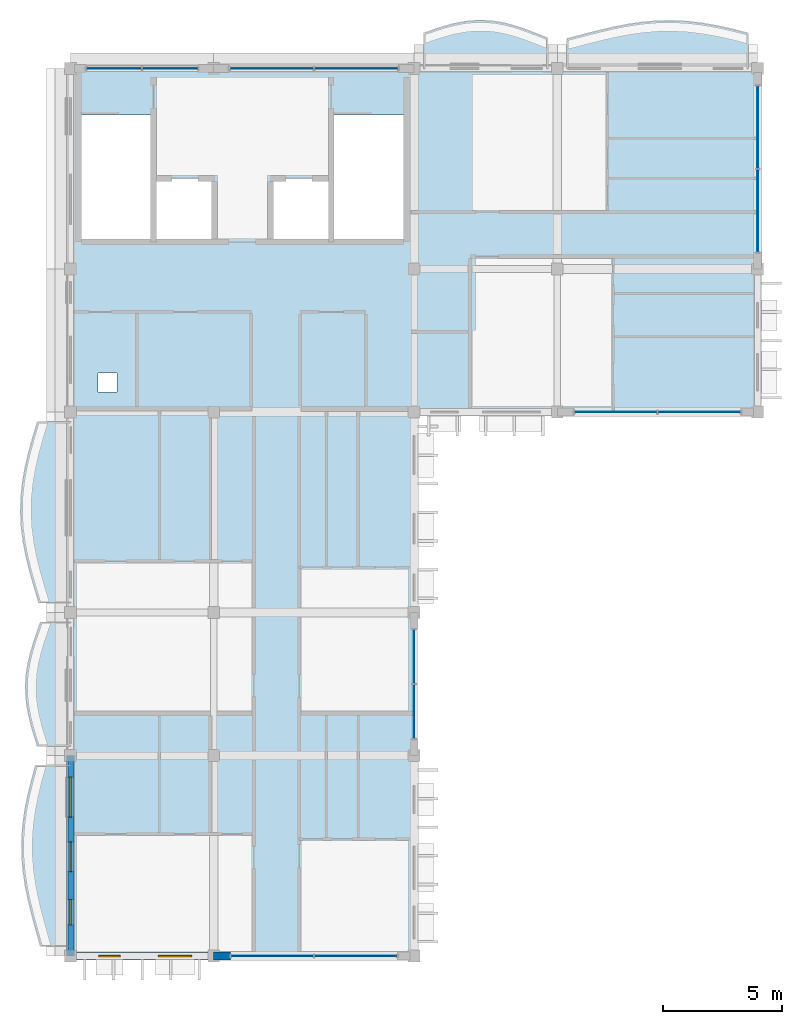
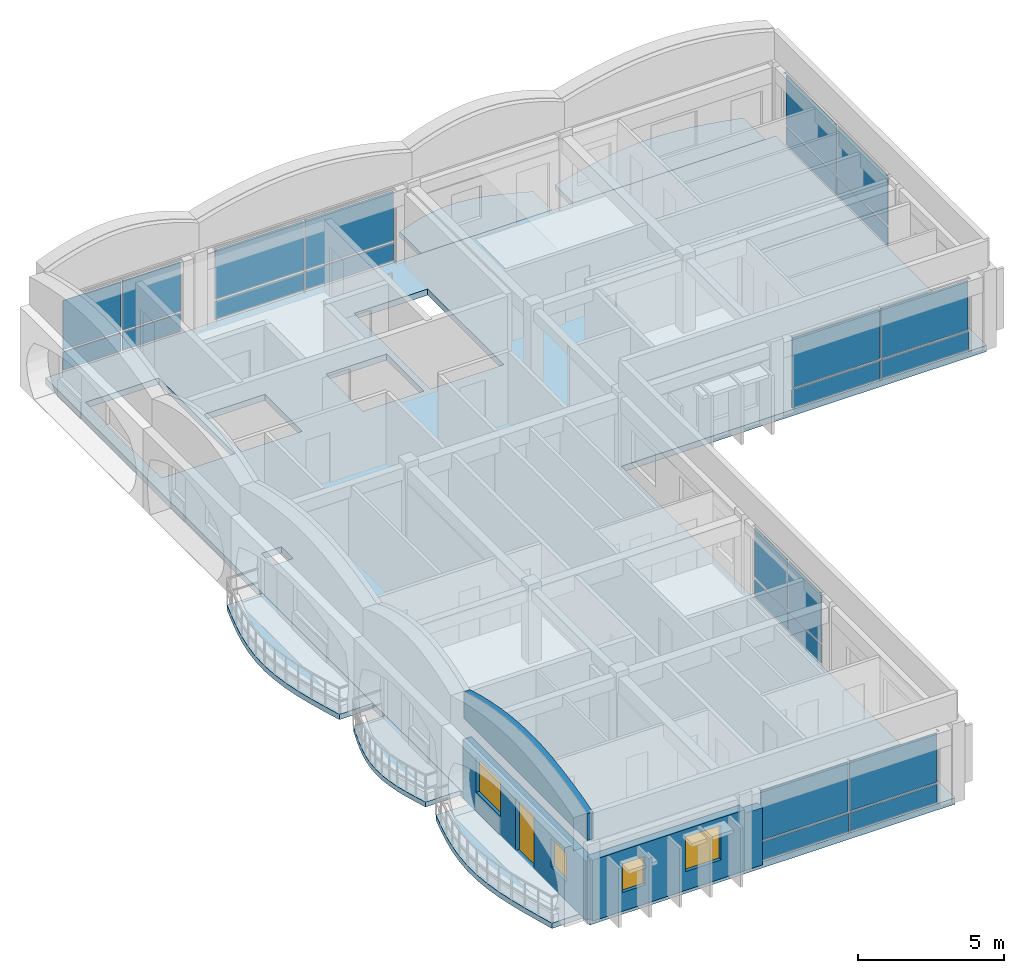
# One storey, part 4 of 12: 24 plates, 6 slabs, 4 walls, 4 windows, 1 door, 5 openings, 6 elements without a shape of their own.
"""IFC4 building model written with IfcOpenShell, lengths in metres."""

from ifc_helpers import new_model, si_unit, direction, frame, frame_2d, origin, origin_2d, place, context, subcontext, project, spatial, polyline, rectangle, outline, extrude, material, layer, layer_set, type_object, element, fill, aggregate, save


model = new_model("IFC4")

# Units and contexts
model_context = context("Model", 3, precision=1e-05, world=origin(), true_north=direction((0.0, 1.0)))
body_context = subcontext(model_context, "Body", "Model", "MODEL_VIEW")
ifc_project = project(units=[si_unit("LENGTHUNIT", "METRE"), si_unit("AREAUNIT", "SQUARE_METRE"), si_unit("VOLUMEUNIT", "CUBIC_METRE"), si_unit("PLANEANGLEUNIT", "RADIAN"), si_unit("MASSUNIT", "GRAM", prefix="KILO"), si_unit("THERMODYNAMICTEMPERATUREUNIT", "KELVIN")], contexts=[model_context])

# Site, building, storey
site_placement = place(None, origin())
site = spatial("IfcSite", under=ifc_project, at=site_placement, CompositionType="ELEMENT")
building_placement = place(site_placement, origin())
building = spatial("IfcBuilding", under=site, at=building_placement, Name="Thalorik Housing Commons", CompositionType="ELEMENT")
storey_placement = place(building_placement, frame((0.0, 0.0, 51.0)))
storey = spatial("IfcBuildingStorey", under=building, at=storey_placement, Name="L15", CompositionType="ELEMENT", Elevation=51.0)

# Curtain wall, plates
ifc_material_1 = material(Name="Anodised aluminium and solar-control low-E glass", Category="aluminium")
curtain_wall_type_1 = type_object("IfcCurtainWallType", Name="ARC-CW-LOUNGE", PredefinedType="USERDEFINED", material=ifc_material_1)
curtain_wall_1_placement = place(storey_placement, origin())
curtain_wall_1 = element("IfcCurtainWall", 1, at=curtain_wall_1_placement, inside=storey, type_object=curtain_wall_type_1, Name="L15 Curtain Wall CW-RES-L15-A-064", ObjectType="CURTAIN WALL", PredefinedType="USERDEFINED")
ifc_material_2 = material(Name="Cobalt blue enamelled aluminium spandrel panel", Category="aluminium")
ifc_layer_1 = layer(ifc_material_2, 0.0458984375, Name="Cobalt blue enamelled aluminium spandrel panel", Category="aluminium")
ifc_layer_set_1 = layer_set([ifc_layer_1], Name="Cobalt blue enamelled aluminium spandrel panel")
plate_type_1 = type_object("IfcPlateType", Name="ARC-CP-BLU-46", PredefinedType="CURTAIN_PANEL", material=ifc_layer_set_1)
plate_1_placement = place(storey_placement, frame((31.25, 109.199951171875, 0.080078125), z_axis=(0.0, 0.0, 1.0), x_axis=(1.0, 0.0, 0.0)))
plate_1 = element("IfcPlate", 2, at=plate_1_placement, type_object=plate_type_1, Name="CW-RES-L15-A-064 Spandrel Panel 1", PredefinedType="CURTAIN_PANEL", context=body_context, shape_type="SweptSolid", body=[
    extrude(rectangle(XDim=3.43994140625, YDim=0.0458984375, at=origin_2d()), origin(), (0.0, 0.0, 1.0), 0.760009765625),
])
plate_2_placement = place(storey_placement, frame((34.75, 109.199951171875, 0.080078125), z_axis=(0.0, 0.0, 1.0), x_axis=(1.0, 0.0, 0.0)))
plate_2 = element("IfcPlate", 3, at=plate_2_placement, type_object=plate_type_1, Name="CW-RES-L15-A-064 Spandrel Panel 2", PredefinedType="CURTAIN_PANEL", context=body_context, shape_type="SweptSolid", body=[
    extrude(rectangle(XDim=3.43994140625, YDim=0.0458984375, at=origin_2d()), origin(), (0.0, 0.0, 1.0), 0.760009765625),
])

curtain_wall_type_2 = type_object("IfcCurtainWallType", Name="ARC-CW-CORE", PredefinedType="USERDEFINED", material=ifc_material_1)
curtain_wall_2_placement = place(storey_placement, origin())
curtain_wall_2 = element("IfcCurtainWall", 4, at=curtain_wall_2_placement, inside=storey, type_object=curtain_wall_type_2, Name="L15 Curtain Wall CW-CORE-L15-A-067", ObjectType="CURTAIN WALL", PredefinedType="USERDEFINED")
plate_3_placement = place(storey_placement, frame((12.574951171875, 123.60009765625, 0.080078125), z_axis=(0.0, 0.0, 1.0), x_axis=(-1.0, 0.0, 0.0)))
plate_3 = element("IfcPlate", 5, at=plate_3_placement, type_object=plate_type_1, Name="CW-CORE-L15-A-067 Spandrel Panel 1", PredefinedType="CURTAIN_PANEL", context=body_context, shape_type="SweptSolid", body=[
    extrude(rectangle(XDim=2.2900390625, YDim=0.0458984375, at=origin_2d()), origin(), (0.0, 0.0, 1.0), 0.760009765625),
])
plate_4_placement = place(storey_placement, frame((10.22509765625, 123.60009765625, 0.080078125), z_axis=(0.0, 0.0, 1.0), x_axis=(-1.0, 0.0, 0.0)))
plate_4 = element("IfcPlate", 6, at=plate_4_placement, type_object=plate_type_1, Name="CW-CORE-L15-A-067 Spandrel Panel 2", PredefinedType="CURTAIN_PANEL", context=body_context, shape_type="SweptSolid", body=[
    extrude(rectangle(XDim=2.2900390625, YDim=0.0458984375, at=origin_2d()), origin(), (0.0, 0.0, 1.0), 0.760009765625),
])

curtain_wall_3_placement = place(storey_placement, origin())
curtain_wall_3 = element("IfcCurtainWall", 7, at=curtain_wall_3_placement, inside=storey, type_object=curtain_wall_type_1, Name="L15 Curtain Wall CW-RES-L15-A-070", ObjectType="CURTAIN WALL", PredefinedType="USERDEFINED")
plate_5_placement = place(storey_placement, frame((22.800048828125, 96.64990234375, 0.080078125), z_axis=(0.0, 0.0, 1.0), x_axis=(0.0, 1.0, 0.0)))
plate_5 = element("IfcPlate", 8, at=plate_5_placement, type_object=plate_type_1, Name="CW-RES-L15-A-070 Spandrel Panel 1", PredefinedType="CURTAIN_PANEL", context=body_context, shape_type="SweptSolid", body=[
    extrude(rectangle(XDim=2.239990234375, YDim=0.0458984375, at=origin_2d()), origin(), (0.0, 0.0, 1.0), 0.760009765625),
])
plate_6_placement = place(storey_placement, frame((22.800048828125, 98.949951171875, 0.080078125), z_axis=(0.0, 0.0, 1.0), x_axis=(0.0, 1.0, 0.0)))
plate_6 = element("IfcPlate", 9, at=plate_6_placement, type_object=plate_type_1, Name="CW-RES-L15-A-070 Spandrel Panel 2", PredefinedType="CURTAIN_PANEL", context=body_context, shape_type="SweptSolid", body=[
    extrude(rectangle(XDim=2.239990234375, YDim=0.0458984375, at=origin_2d()), origin(), (0.0, 0.0, 1.0), 0.760009765625),
])

# Plate
ifc_material_3 = material(Name="Double solar-control low-E glass", Category="glass")
ifc_layer_2 = layer(ifc_material_3, 0.028076171875, Name="Double solar-control low-E glass", Category="glass")
ifc_layer_set_2 = layer_set([ifc_layer_2], Name="Double solar-control low-E glass")
plate_type_2 = type_object("IfcPlateType", Name="ARC-CP-GLZ-28", PredefinedType="CURTAIN_PANEL", material=ifc_layer_set_2)
plate_7_placement = place(storey_placement, frame((31.25, 109.199951171875, 0.919921875), z_axis=(0.0, 0.0, 1.0), x_axis=(1.0, 0.0, 0.0)))
plate_7 = element("IfcPlate", 10, at=plate_7_placement, type_object=plate_type_2, Name="CW-RES-L15-A-064 Vision Panel 1", PredefinedType="CURTAIN_PANEL", context=body_context, shape_type="SweptSolid", body=[
    extrude(rectangle(XDim=3.43994140625, YDim=0.028076171875, at=origin_2d()), origin(), (0.0, 0.0, 1.0), 2.06005859375),
])

plate_8_placement = place(storey_placement, frame((34.75, 109.199951171875, 0.919921875), z_axis=(0.0, 0.0, 1.0), x_axis=(1.0, 0.0, 0.0)))
plate_8 = element("IfcPlate", 11, at=plate_8_placement, type_object=plate_type_2, Name="CW-RES-L15-A-064 Vision Panel 2", PredefinedType="CURTAIN_PANEL", context=body_context, shape_type="SweptSolid", body=[
    extrude(rectangle(XDim=3.43994140625, YDim=0.028076171875, at=origin_2d()), origin(), (0.0, 0.0, 1.0), 2.06005859375),
])

aggregate(curtain_wall_1, [plate_1, plate_7, plate_2, plate_8])

# Curtain wall, plates
curtain_wall_4_placement = place(storey_placement, origin())
curtain_wall_4 = element("IfcCurtainWall", 12, at=curtain_wall_4_placement, inside=storey, type_object=curtain_wall_type_1, Name="L15 Curtain Wall CW-RES-L15-A-065", ObjectType="CURTAIN WALL", PredefinedType="USERDEFINED")
plate_9_placement = place(storey_placement, frame((37.199951171875, 117.64990234375, 0.919921875), z_axis=(0.0, 0.0, 1.0), x_axis=(0.0, 1.0, 0.0)))
plate_9 = element("IfcPlate", 13, at=plate_9_placement, type_object=plate_type_2, Name="CW-RES-L15-A-065 Vision Panel 1", PredefinedType="CURTAIN_PANEL", context=body_context, shape_type="SweptSolid", body=[
    extrude(rectangle(XDim=3.43994140625, YDim=0.028076171875, at=origin_2d()), origin(), (0.0, 0.0, 1.0), 2.06005859375),
])
plate_10_placement = place(storey_placement, frame((37.199951171875, 121.14990234375, 0.919921875), z_axis=(0.0, 0.0, 1.0), x_axis=(0.0, 1.0, 0.0)))
plate_10 = element("IfcPlate", 14, at=plate_10_placement, type_object=plate_type_2, Name="CW-RES-L15-A-065 Vision Panel 2", PredefinedType="CURTAIN_PANEL", context=body_context, shape_type="SweptSolid", body=[
    extrude(rectangle(XDim=3.43994140625, YDim=0.028076171875, at=origin_2d()), origin(), (0.0, 0.0, 1.0), 2.06005859375),
])

curtain_wall_5_placement = place(storey_placement, origin())
curtain_wall_5 = element("IfcCurtainWall", 15, at=curtain_wall_5_placement, inside=storey, type_object=curtain_wall_type_2, Name="L15 Curtain Wall CW-CORE-L15-A-066", ObjectType="CURTAIN WALL", PredefinedType="USERDEFINED")
plate_11_placement = place(storey_placement, frame((20.375, 123.60009765625, 0.919921875), z_axis=(0.0, 0.0, 1.0), x_axis=(-1.0, 0.0, 0.0)))
plate_11 = element("IfcPlate", 16, at=plate_11_placement, type_object=plate_type_2, Name="CW-CORE-L15-A-066 Vision Panel 1", PredefinedType="CURTAIN_PANEL", context=body_context, shape_type="SweptSolid", body=[
    extrude(rectangle(XDim=3.489990234375, YDim=0.028076171875, at=origin_2d()), origin(), (0.0, 0.0, 1.0), 2.06005859375),
])
plate_12_placement = place(storey_placement, frame((16.824951171875, 123.60009765625, 0.919921875), z_axis=(0.0, 0.0, 1.0), x_axis=(-1.0, 0.0, 0.0)))
plate_12 = element("IfcPlate", 17, at=plate_12_placement, type_object=plate_type_2, Name="CW-CORE-L15-A-066 Vision Panel 2", PredefinedType="CURTAIN_PANEL", context=body_context, shape_type="SweptSolid", body=[
    extrude(rectangle(XDim=3.489990234375, YDim=0.028076171875, at=origin_2d()), origin(), (0.0, 0.0, 1.0), 2.06005859375),
])

# Plate
plate_13_placement = place(storey_placement, frame((12.574951171875, 123.60009765625, 0.919921875), z_axis=(0.0, 0.0, 1.0), x_axis=(-1.0, 0.0, 0.0)))
plate_13 = element("IfcPlate", 18, at=plate_13_placement, type_object=plate_type_2, Name="CW-CORE-L15-A-067 Vision Panel 1", PredefinedType="CURTAIN_PANEL", context=body_context, shape_type="SweptSolid", body=[
    extrude(rectangle(XDim=2.2900390625, YDim=0.028076171875, at=origin_2d()), origin(), (0.0, 0.0, 1.0), 2.06005859375),
])

plate_14_placement = place(storey_placement, frame((10.22509765625, 123.60009765625, 0.919921875), z_axis=(0.0, 0.0, 1.0), x_axis=(-1.0, 0.0, 0.0)))
plate_14 = element("IfcPlate", 19, at=plate_14_placement, type_object=plate_type_2, Name="CW-CORE-L15-A-067 Vision Panel 2", PredefinedType="CURTAIN_PANEL", context=body_context, shape_type="SweptSolid", body=[
    extrude(rectangle(XDim=2.2900390625, YDim=0.028076171875, at=origin_2d()), origin(), (0.0, 0.0, 1.0), 2.06005859375),
])

aggregate(curtain_wall_2, [plate_3, plate_13, plate_4, plate_14])

# Curtain wall, plates
curtain_wall_6_placement = place(storey_placement, origin())
curtain_wall_6 = element("IfcCurtainWall", 20, at=curtain_wall_6_placement, inside=storey, type_object=curtain_wall_type_1, Name="L15 Curtain Wall CW-RES-L15-A-069", ObjectType="CURTAIN WALL", PredefinedType="USERDEFINED")
plate_15_placement = place(storey_placement, frame((16.85009765625, 86.39990234375, 0.919921875), z_axis=(0.0, 0.0, 1.0), x_axis=(1.0, 0.0, 0.0)))
plate_15 = element("IfcPlate", 21, at=plate_15_placement, type_object=plate_type_2, Name="CW-RES-L15-A-069 Vision Panel 1", PredefinedType="CURTAIN_PANEL", context=body_context, shape_type="SweptSolid", body=[
    extrude(rectangle(XDim=3.43994140625, YDim=0.028076171875, at=origin_2d()), origin(), (0.0, 0.0, 1.0), 2.06005859375),
])
plate_16_placement = place(storey_placement, frame((20.35009765625, 86.39990234375, 0.919921875), z_axis=(0.0, 0.0, 1.0), x_axis=(1.0, 0.0, 0.0)))
plate_16 = element("IfcPlate", 22, at=plate_16_placement, type_object=plate_type_2, Name="CW-RES-L15-A-069 Vision Panel 2", PredefinedType="CURTAIN_PANEL", context=body_context, shape_type="SweptSolid", body=[
    extrude(rectangle(XDim=3.43994140625, YDim=0.028076171875, at=origin_2d()), origin(), (0.0, 0.0, 1.0), 2.06005859375),
])

# Plate
plate_17_placement = place(storey_placement, frame((22.800048828125, 96.64990234375, 0.919921875), z_axis=(0.0, 0.0, 1.0), x_axis=(0.0, 1.0, 0.0)))
plate_17 = element("IfcPlate", 23, at=plate_17_placement, type_object=plate_type_2, Name="CW-RES-L15-A-070 Vision Panel 1", PredefinedType="CURTAIN_PANEL", context=body_context, shape_type="SweptSolid", body=[
    extrude(rectangle(XDim=2.239990234375, YDim=0.028076171875, at=origin_2d()), origin(), (0.0, 0.0, 1.0), 2.06005859375),
])

plate_18_placement = place(storey_placement, frame((22.800048828125, 98.949951171875, 0.919921875), z_axis=(0.0, 0.0, 1.0), x_axis=(0.0, 1.0, 0.0)))
plate_18 = element("IfcPlate", 24, at=plate_18_placement, type_object=plate_type_2, Name="CW-RES-L15-A-070 Vision Panel 2", PredefinedType="CURTAIN_PANEL", context=body_context, shape_type="SweptSolid", body=[
    extrude(rectangle(XDim=2.239990234375, YDim=0.028076171875, at=origin_2d()), origin(), (0.0, 0.0, 1.0), 2.06005859375),
])

aggregate(curtain_wall_3, [plate_5, plate_17, plate_6, plate_18])

ifc_material_4 = material(Name="Oxide red enamelled aluminium spandrel panel", Category="aluminium")
ifc_layer_3 = layer(ifc_material_4, 0.0419921875, Name="Oxide red enamelled aluminium spandrel panel", Category="aluminium")
ifc_layer_set_3 = layer_set([ifc_layer_3], Name="Oxide red enamelled aluminium spandrel panel")
plate_type_3 = type_object("IfcPlateType", Name="ARC-CP-RED-42", PredefinedType="CURTAIN_PANEL", material=ifc_layer_set_3)
plate_19_placement = place(storey_placement, frame((37.199951171875, 117.64990234375, 0.080078125), z_axis=(0.0, 0.0, 1.0), x_axis=(0.0, 1.0, 0.0)))
plate_19 = element("IfcPlate", 25, at=plate_19_placement, type_object=plate_type_3, Name="CW-RES-L15-A-065 Spandrel Panel 1", PredefinedType="CURTAIN_PANEL", context=body_context, shape_type="SweptSolid", body=[
    extrude(rectangle(XDim=3.43994140625, YDim=0.0419921875, at=origin_2d()), origin(), (0.0, 0.0, 1.0), 0.760009765625),
])

plate_20_placement = place(storey_placement, frame((37.199951171875, 121.14990234375, 0.080078125), z_axis=(0.0, 0.0, 1.0), x_axis=(0.0, 1.0, 0.0)))
plate_20 = element("IfcPlate", 26, at=plate_20_placement, type_object=plate_type_3, Name="CW-RES-L15-A-065 Spandrel Panel 2", PredefinedType="CURTAIN_PANEL", context=body_context, shape_type="SweptSolid", body=[
    extrude(rectangle(XDim=3.43994140625, YDim=0.0419921875, at=origin_2d()), origin(), (0.0, 0.0, 1.0), 0.760009765625),
])

aggregate(curtain_wall_4, [plate_19, plate_9, plate_20, plate_10])

plate_21_placement = place(storey_placement, frame((20.375, 123.60009765625, 0.080078125), z_axis=(0.0, 0.0, 1.0), x_axis=(-1.0, 0.0, 0.0)))
plate_21 = element("IfcPlate", 27, at=plate_21_placement, type_object=plate_type_3, Name="CW-CORE-L15-A-066 Spandrel Panel 1", PredefinedType="CURTAIN_PANEL", context=body_context, shape_type="SweptSolid", body=[
    extrude(rectangle(XDim=3.489990234375, YDim=0.0419921875, at=origin_2d()), origin(), (0.0, 0.0, 1.0), 0.760009765625),
])

plate_22_placement = place(storey_placement, frame((16.824951171875, 123.60009765625, 0.080078125), z_axis=(0.0, 0.0, 1.0), x_axis=(-1.0, 0.0, 0.0)))
plate_22 = element("IfcPlate", 28, at=plate_22_placement, type_object=plate_type_3, Name="CW-CORE-L15-A-066 Spandrel Panel 2", PredefinedType="CURTAIN_PANEL", context=body_context, shape_type="SweptSolid", body=[
    extrude(rectangle(XDim=3.489990234375, YDim=0.0419921875, at=origin_2d()), origin(), (0.0, 0.0, 1.0), 0.760009765625),
])

aggregate(curtain_wall_5, [plate_21, plate_11, plate_22, plate_12])

ifc_material_5 = material(Name="Mineral ochre yellow aluminium spandrel panel", Category="aluminium")
ifc_layer_4 = layer(ifc_material_5, 0.050048828125, Name="Mineral ochre yellow aluminium spandrel panel", Category="aluminium")
ifc_layer_set_4 = layer_set([ifc_layer_4], Name="Mineral ochre yellow aluminium spandrel panel")
plate_type_4 = type_object("IfcPlateType", Name="ARC-CP-YEL-50", PredefinedType="CURTAIN_PANEL", material=ifc_layer_set_4)
plate_23_placement = place(storey_placement, frame((16.85009765625, 86.39990234375, 0.080078125), z_axis=(0.0, 0.0, 1.0), x_axis=(1.0, 0.0, 0.0)))
plate_23 = element("IfcPlate", 29, at=plate_23_placement, type_object=plate_type_4, Name="CW-RES-L15-A-069 Spandrel Panel 1", PredefinedType="CURTAIN_PANEL", context=body_context, shape_type="SweptSolid", body=[
    extrude(rectangle(XDim=3.43994140625, YDim=0.050048828125, at=origin_2d()), origin(), (0.0, 0.0, 1.0), 0.760009765625),
])

plate_24_placement = place(storey_placement, frame((20.35009765625, 86.39990234375, 0.080078125), z_axis=(0.0, 0.0, 1.0), x_axis=(1.0, 0.0, 0.0)))
plate_24 = element("IfcPlate", 30, at=plate_24_placement, type_object=plate_type_4, Name="CW-RES-L15-A-069 Spandrel Panel 2", PredefinedType="CURTAIN_PANEL", context=body_context, shape_type="SweptSolid", body=[
    extrude(rectangle(XDim=3.43994140625, YDim=0.050048828125, at=origin_2d()), origin(), (0.0, 0.0, 1.0), 0.760009765625),
])

aggregate(curtain_wall_6, [plate_23, plate_15, plate_24, plate_16])

# Slabs
ifc_material_6 = material(Name="Precast concrete C40/50", Category="concrete")
ifc_layer_5 = layer(ifc_material_6, 0.199951171875, Name="Precast concrete C40/50", Category="concrete")
ifc_layer_set_5 = layer_set([ifc_layer_5], Name="Precast concrete C40/50")
slab_type_1 = type_object("IfcSlabType", Name="STR-SLB-BALC-200", PredefinedType="FLOOR", material=ifc_layer_set_5)
slab_1_placement = place(storey_placement, frame((0.0, 0.0, -0.199951171875)))
element("IfcSlab", 31, at=slab_1_placement, inside=storey, type_object=slab_type_1, Name="L15 Block A Cushion Balcony 96", PredefinedType="FLOOR", context=body_context, shape_type="SweptSolid", body=[
    extrude(outline(polyline([(23.219970703125, 123.60009765625), (28.3798828125, 123.60009765625), (28.3798828125, 124.87841796875), (27.949951171875, 125.052978515625), (27.52001953125, 125.218994140625), (27.090087890625, 125.366455078125), (26.659912109375, 125.485595703125), (26.22998046875, 125.569091796875), (25.800048828125, 125.61181640625), (25.3701171875, 125.61181640625), (24.93994140625, 125.56982421875), (24.510009765625, 125.489013671875), (24.080078125, 125.3759765625), (23.64990234375, 125.23828125), (23.219970703125, 125.0859375), (23.219970703125, 123.60009765625)])), origin(), (0.0, 0.0, 1.0), 0.199951171875),
])
slab_2_placement = place(storey_placement, frame((0.0, 0.0, -0.199951171875)))
element("IfcSlab", 32, at=slab_2_placement, inside=storey, type_object=slab_type_1, Name="L15 Block A Cushion Balcony 99", PredefinedType="FLOOR", context=body_context, shape_type="SweptSolid", body=[
    extrude(outline(polyline([(8.39990234375, 95.219970703125), (8.39990234375, 100.3798828125), (7.136962890625, 100.3798828125), (6.98681640625, 99.949951171875), (6.843505859375, 99.52001953125), (6.716796875, 99.090087890625), (6.615478515625, 98.659912109375), (6.546142578125, 98.22998046875), (6.513427734375, 97.800048828125), (6.51904296875, 97.3701171875), (6.562255859375, 96.93994140625), (6.639404296875, 96.510009765625), (6.74462890625, 96.080078125), (6.8701171875, 95.64990234375), (7.00634765625, 95.219970703125), (8.39990234375, 95.219970703125)])), origin(), (0.0, 0.0, 1.0), 0.199951171875),
])
ifc_layer_6 = layer(ifc_material_6, 0.219970703125, Name="Precast concrete C40/50", Category="concrete")
ifc_layer_set_6 = layer_set([ifc_layer_6], Name="Precast concrete C40/50")
slab_type_2 = type_object("IfcSlabType", Name="STR-SLB-BALC-220", PredefinedType="FLOOR", material=ifc_layer_set_6)
slab_3_placement = place(storey_placement, frame((0.0, 0.0, -0.219970703125)))
element("IfcSlab", 33, at=slab_3_placement, inside=storey, type_object=slab_type_2, Name="L15 Block A Cushion Balcony 97", PredefinedType="FLOOR", context=body_context, shape_type="SweptSolid", body=[
    extrude(outline(polyline([(29.219970703125, 123.60009765625), (36.780029296875, 123.60009765625), (36.780029296875, 125.08544921875), (36.14990234375, 125.24609375), (35.52001953125, 125.38720703125), (34.889892578125, 125.498779296875), (34.260009765625, 125.573974609375), (33.6298828125, 125.607177734375), (33.0, 125.596435546875), (32.3701171875, 125.543212890625), (31.739990234375, 125.45068359375), (31.110107421875, 125.32568359375), (30.47998046875, 125.177001953125), (29.85009765625, 125.0146484375), (29.219970703125, 124.85009765625), (29.219970703125, 123.60009765625)])), origin(), (0.0, 0.0, 1.0), 0.219970703125),
])
slab_4_placement = place(storey_placement, frame((0.0, 0.0, -0.219970703125)))
element("IfcSlab", 34, at=slab_4_placement, inside=storey, type_object=slab_type_2, Name="L15 Block A Cushion Balcony 98", PredefinedType="FLOOR", context=body_context, shape_type="SweptSolid", body=[
    extrude(outline(polyline([(8.39990234375, 86.820068359375), (8.39990234375, 94.3798828125), (6.932861328125, 94.3798828125), (6.760009765625, 93.75), (6.606201171875, 93.1201171875), (6.482177734375, 92.489990234375), (6.396484375, 91.860107421875), (6.3544921875, 91.22998046875), (6.359619140625, 90.60009765625), (6.41064453125, 89.969970703125), (6.504150390625, 89.340087890625), (6.633544921875, 88.7099609375), (6.789794921875, 88.080078125), (6.962158203125, 87.449951171875), (7.138427734375, 86.820068359375), (8.39990234375, 86.820068359375)])), origin(), (0.0, 0.0, 1.0), 0.219970703125),
])
slab_5_placement = place(storey_placement, frame((0.0, 0.0, -0.219970703125)))
element("IfcSlab", 35, at=slab_5_placement, inside=storey, type_object=slab_type_2, Name="L15 Block A Cushion Balcony 100", PredefinedType="FLOOR", context=body_context, shape_type="SweptSolid", body=[
    extrude(outline(polyline([(8.39990234375, 101.219970703125), (8.39990234375, 108.780029296875), (7.00927734375, 108.780029296875), (6.820068359375, 108.14990234375), (6.6455078125, 107.52001953125), (6.49755859375, 106.889892578125), (6.386962890625, 106.260009765625), (6.32080078125, 105.6298828125), (6.30419921875, 105.0), (6.337646484375, 104.3701171875), (6.419189453125, 103.739990234375), (6.542724609375, 103.110107421875), (6.7001953125, 102.47998046875), (6.88037109375, 101.85009765625), (7.07080078125, 101.219970703125), (8.39990234375, 101.219970703125)])), origin(), (0.0, 0.0, 1.0), 0.219970703125),
])
ifc_material_7 = material(Name="Precast concrete C45/55", Category="concrete")
ifc_layer_7 = layer(ifc_material_7, 0.260009765625, Name="Precast concrete C45/55", Category="concrete")
ifc_layer_set_7 = layer_set([ifc_layer_7], Name="Precast concrete C45/55")
slab_type_3 = type_object("IfcSlabType", Name="STR-SLB-HC-260", PredefinedType="FLOOR", material=ifc_layer_set_7)
slab_6_placement = place(storey_placement, frame((0.0, 0.0, -0.260009765625)))
element("IfcSlab", 36, at=slab_6_placement, inside=storey, type_object=slab_type_3, Name="L15 Residential Block A Floor Slab", PredefinedType="FLOOR", context=body_context, shape_type="SweptSolid", body=[
    extrude(outline(polyline([(8.39990234375, 123.60009765625), (8.39990234375, 109.199951171875), (8.39990234375, 86.39990234375), (22.800048828125, 86.39990234375), (22.800048828125, 109.199951171875), (37.199951171875, 109.199951171875), (37.199951171875, 123.60009765625), (8.39990234375, 123.60009765625)]), holes=[polyline([(8.85009765625, 121.64990234375), (11.75, 121.64990234375), (11.75, 116.449951171875), (8.85009765625, 116.449951171875), (8.85009765625, 121.64990234375)]), polyline([(22.35009765625, 121.64990234375), (22.35009765625, 116.449951171875), (19.449951171875, 116.449951171875), (19.449951171875, 121.64990234375), (22.35009765625, 121.64990234375)]), polyline([(14.39990234375, 119.0), (14.39990234375, 116.449951171875), (12.0, 116.449951171875), (12.0, 119.0), (14.39990234375, 119.0)]), polyline([(19.199951171875, 116.449951171875), (16.800048828125, 116.449951171875), (16.800048828125, 119.0), (19.199951171875, 119.0), (19.199951171875, 116.449951171875)]), polyline([(9.550048828125, 110.050048828125), (9.550048828125, 110.85009765625), (10.35009765625, 110.85009765625), (10.35009765625, 110.050048828125), (9.550048828125, 110.050048828125)])]), origin(), (0.0, 0.0, 1.0), 0.260009765625),
])

# Wall, openings, door, windows
ifc_material_8 = material(Name="White precast concrete C40/50", Category="concrete")
ifc_layer_8 = layer(ifc_material_8, 0.3349609375, Name="White precast concrete C40/50", Category="concrete")
ifc_layer_set_8 = layer_set([ifc_layer_8], Name="White precast concrete C40/50")
wall_type_1 = type_object("IfcWallType", Name="ARC-WAL-EXT-335", PredefinedType="STANDARD", material=ifc_layer_set_8)
wall_1_placement = place(storey_placement, frame((8.39990234375, 94.800048828125, 0.0), z_axis=(0.0, 0.0, 1.0), x_axis=(0.0, -1.0, 0.0)))
wall_1 = element("IfcWall", 37, at=wall_1_placement, inside=storey, type_object=wall_type_1, Name="L15 Exterior Wall WAL-EXT-L15-A-0363", PredefinedType="STANDARD", context=body_context, shape_type="SweptSolid", body=[
    extrude(rectangle(XDim=8.400146484375, YDim=0.3349609375, at=frame_2d((4.2001953125, 0.0))), origin(), (0.0, 0.0, 1.0), 2.445068359375),
])
opening_1_placement = place(wall_1_placement, frame((3.614990234375, 0.0, 0.0)))
opening_1 = element("IfcOpeningElement", 38, at=opening_1_placement, cuts=wall_1, Name="Opening ED-0115", PredefinedType="OPENING", context=body_context, shape_type="SweptSolid", body=[
    extrude(rectangle(XDim=1.25, YDim=2.199951171875, at=frame_2d((0.625, 1.10009765625))), frame((0.0, 0.177490234375, 0.0), z_axis=(0.0, -1.0, 0.0), x_axis=(1.0, 0.0, 0.0)), (0.0, 0.0, 1.0), 0.35498046875),
])
opening_2_placement = place(wall_1_placement, frame((0.8974609375, 0.0, 0.780029296875)))
opening_2 = element("IfcOpeningElement", 39, at=opening_2_placement, cuts=wall_1, Name="Opening W-55", PredefinedType="OPENING", context=body_context, shape_type="SweptSolid", body=[
    extrude(rectangle(XDim=1.679931640625, YDim=1.4599609375, at=frame_2d((0.83984375, 0.72998046875))), frame((0.0, 0.177490234375, 0.0), z_axis=(0.0, -1.0, 0.0), x_axis=(1.0, 0.0, 0.0)), (0.0, 0.0, 1.0), 0.35498046875),
])
opening_3_placement = place(wall_1_placement, frame((6.03759765625, 0.0, 0.780029296875)))
opening_3 = element("IfcOpeningElement", 40, at=opening_3_placement, cuts=wall_1, Name="Opening W-44", PredefinedType="OPENING", context=body_context, shape_type="SweptSolid", body=[
    extrude(rectangle(XDim=1.050048828125, YDim=1.199951171875, at=frame_2d((0.52490234375, 0.60009765625))), frame((0.0, 0.177490234375, 0.0), z_axis=(0.0, -1.0, 0.0), x_axis=(1.0, 0.0, 0.0)), (0.0, 0.0, 1.0), 0.35498046875),
])
ifc_material_9 = material(Name="Anodised aluminium and laminated safety glass", Category="aluminium")
door_type = type_object("IfcDoorType", Name="ARC-DR-BAL-1250", OperationType="NOTDEFINED", PredefinedType="DOOR", material=ifc_material_9)
door_placement = place(opening_1_placement, frame((1.25, 0.0, 0.0), z_axis=(0.0, 0.0, 1.0), x_axis=(-1.0, 0.0, 0.0)))
door = element("IfcDoor", 41, at=door_placement, inside=storey, type_object=door_type, Name="L15 Block A Balcony Glazed Door", OperationType="SINGLE_SWING_RIGHT", OverallHeight=2.199951171875, OverallWidth=1.25, PredefinedType="DOOR", context=body_context, shape_type="SweptSolid", body=[
    extrude(rectangle(XDim=1.25, YDim=2.199951171875, at=frame_2d((0.625, 1.10009765625))), frame((0.0, 0.02490234375, 0.0), z_axis=(0.0, -1.0, 0.0), x_axis=(1.0, 0.0, 0.0)), (0.0, 0.0, 1.0), 0.050048828125),
])
fill(opening_1, door)
window_type_1 = type_object("IfcWindowType", Name="ARC-WIN-44", PartitioningType="SINGLE_PANEL", PredefinedType="WINDOW", material=ifc_material_1)
window_1_placement = place(opening_3_placement, origin())
window_1 = element("IfcWindow", 42, at=window_1_placement, inside=storey, type_object=window_type_1, Name="L15 Facade Window 646", OverallHeight=1.199951171875, OverallWidth=1.050048828125, PartitioningType="SINGLE_PANEL", PredefinedType="WINDOW", context=body_context, shape_type="SweptSolid", body=[
    extrude(rectangle(XDim=1.050048828125, YDim=1.199951171875, at=frame_2d((0.52490234375, 0.60009765625))), frame((0.0, 0.030029296875, 0.0), z_axis=(0.0, -1.0, 0.0), x_axis=(1.0, 0.0, 0.0)), (0.0, 0.0, 1.0), 0.06005859375),
])
fill(opening_3, window_1)
window_type_2 = type_object("IfcWindowType", Name="ARC-WIN-55", PartitioningType="DOUBLE_PANEL_VERTICAL", PredefinedType="WINDOW", material=ifc_material_1)
window_2_placement = place(opening_2_placement, origin())
window_2 = element("IfcWindow", 43, at=window_2_placement, inside=storey, type_object=window_type_2, Name="L15 Facade Window 645", OverallHeight=1.4599609375, OverallWidth=1.679931640625, PartitioningType="DOUBLE_PANEL_VERTICAL", PredefinedType="WINDOW", context=body_context, shape_type="SweptSolid", body=[
    extrude(rectangle(XDim=1.679931640625, YDim=1.4599609375, at=frame_2d((0.83984375, 0.72998046875))), frame((0.0, 0.030029296875, 0.0), z_axis=(0.0, -1.0, 0.0), x_axis=(1.0, 0.0, 0.0)), (0.0, 0.0, 1.0), 0.06005859375),
])
fill(opening_2, window_2)

# Wall, openings, windows
wall_2_placement = place(storey_placement, frame((8.39990234375, 86.39990234375, 0.0), z_axis=(0.0, 0.0, 1.0), x_axis=(1.0, 0.0, 0.0)))
wall_2 = element("IfcWall", 44, at=wall_2_placement, inside=storey, type_object=wall_type_1, Name="L15 Exterior Wall WAL-EXT-L15-A-0364", PredefinedType="STANDARD", context=body_context, shape_type="SweptSolid", body=[
    extrude(rectangle(XDim=6.0, YDim=0.3349609375, at=frame_2d((3.0, 0.0))), origin(), (0.0, 0.0, 1.0), 2.544921875),
])
opening_4_placement = place(wall_2_placement, frame((1.179931640625, 0.0, 0.780029296875)))
opening_4 = element("IfcOpeningElement", 45, at=opening_4_placement, cuts=wall_2, Name="Opening W-01", PredefinedType="OPENING", context=body_context, shape_type="SweptSolid", body=[
    extrude(rectangle(XDim=0.89990234375, YDim=1.199951171875, at=frame_2d((0.449951171875, 0.60009765625))), frame((0.0, 0.177490234375, 0.0), z_axis=(0.0, -1.0, 0.0), x_axis=(1.0, 0.0, 0.0)), (0.0, 0.0, 1.0), 0.35498046875),
])
opening_5_placement = place(wall_2_placement, frame((3.669921875, 0.0, 0.780029296875)))
opening_5 = element("IfcOpeningElement", 46, at=opening_5_placement, cuts=wall_2, Name="Opening W-08", PredefinedType="OPENING", context=body_context, shape_type="SweptSolid", body=[
    extrude(rectangle(XDim=1.39990234375, YDim=1.449951171875, at=frame_2d((0.699951171875, 0.72509765625))), frame((0.0, 0.177490234375, 0.0), z_axis=(0.0, -1.0, 0.0), x_axis=(1.0, 0.0, 0.0)), (0.0, 0.0, 1.0), 0.35498046875),
])
window_type_3 = type_object("IfcWindowType", Name="ARC-WIN-01", PartitioningType="SINGLE_PANEL", PredefinedType="WINDOW", material=ifc_material_1)
window_3_placement = place(opening_4_placement, origin())
window_3 = element("IfcWindow", 47, at=window_3_placement, inside=storey, type_object=window_type_3, Name="L15 Facade Window 647", OverallHeight=1.199951171875, OverallWidth=0.89990234375, PartitioningType="SINGLE_PANEL", PredefinedType="WINDOW", context=body_context, shape_type="SweptSolid", body=[
    extrude(rectangle(XDim=0.89990234375, YDim=1.199951171875, at=frame_2d((0.449951171875, 0.60009765625))), frame((0.0, 0.030029296875, 0.0), z_axis=(0.0, -1.0, 0.0), x_axis=(1.0, 0.0, 0.0)), (0.0, 0.0, 1.0), 0.06005859375),
])
fill(opening_4, window_3)
window_type_4 = type_object("IfcWindowType", Name="ARC-WIN-08", PartitioningType="SINGLE_PANEL", PredefinedType="WINDOW", material=ifc_material_1)
window_4_placement = place(opening_5_placement, origin())
window_4 = element("IfcWindow", 48, at=window_4_placement, inside=storey, type_object=window_type_4, Name="L15 Facade Window 648", OverallHeight=1.449951171875, OverallWidth=1.39990234375, PartitioningType="SINGLE_PANEL", PredefinedType="WINDOW", context=body_context, shape_type="SweptSolid", body=[
    extrude(rectangle(XDim=1.39990234375, YDim=1.449951171875, at=frame_2d((0.699951171875, 0.72509765625))), frame((0.0, 0.030029296875, 0.0), z_axis=(0.0, -1.0, 0.0), x_axis=(1.0, 0.0, 0.0)), (0.0, 0.0, 1.0), 0.06005859375),
])
fill(opening_5, window_4)

# Walls
wall_3_placement = place(storey_placement, frame((14.39990234375, 86.39990234375, 0.0), z_axis=(0.0, 0.0, 1.0), x_axis=(1.0, 0.0, 0.0)))
element("IfcWall", 49, at=wall_3_placement, inside=storey, type_object=wall_type_1, Name="L15 Exterior Wall WAL-PIERL-L15-A-0365", PredefinedType="STANDARD", context=body_context, shape_type="SweptSolid", body=[
    extrude(rectangle(XDim=0.7001953125, YDim=0.3349609375, at=frame_2d((0.35009765625, 0.0))), origin(), (0.0, 0.0, 1.0), 2.39501953125),
])
ifc_layer_9 = layer(ifc_material_8, 0.22509765625, Name="White precast concrete C40/50", Category="concrete")
ifc_layer_set_9 = layer_set([ifc_layer_9], Name="White precast concrete C40/50")
wall_type_2 = type_object("IfcWallType", Name="ARC-WAL-PAR-225", PredefinedType="PARAPET", material=ifc_layer_set_9)
wall_4_placement = place(storey_placement, frame((8.39990234375, 94.800048828125, 3.300048828125), z_axis=(0.0, 0.0, 1.0), x_axis=(0.0, -1.0, 0.0)))
element("IfcWall", 50, at=wall_4_placement, inside=storey, type_object=wall_type_2, Name="L15 Block A Scalloped Arched Roof Parapet 11", PredefinedType="PARAPET", context=body_context, shape_type="SweptSolid", body=[
    extrude(outline(polyline([(0.0, 0.0), (8.400146484375, 0.0), (8.39990234375, 1.119873046875), (7.699951171875, 1.321533203125), (7.0, 1.484375), (6.300048828125, 1.61767578125), (5.60009765625, 1.71728515625), (4.89990234375, 1.779052734375), (4.199951171875, 1.800048828125), (3.5, 1.779052734375), (2.800048828125, 1.71728515625), (2.10009765625, 1.61767578125), (1.39990234375, 1.484375), (0.699951171875, 1.321533203125), (0.0, 1.119873046875), (0.0, 0.0)])), frame((0.0, 0.112548828125, 0.0), z_axis=(0.0, -1.0, 0.0), x_axis=(1.0, 0.0, 0.0)), (0.0, 0.0, 1.0), 0.22509765625),
])

save(model, "model.ifc")
